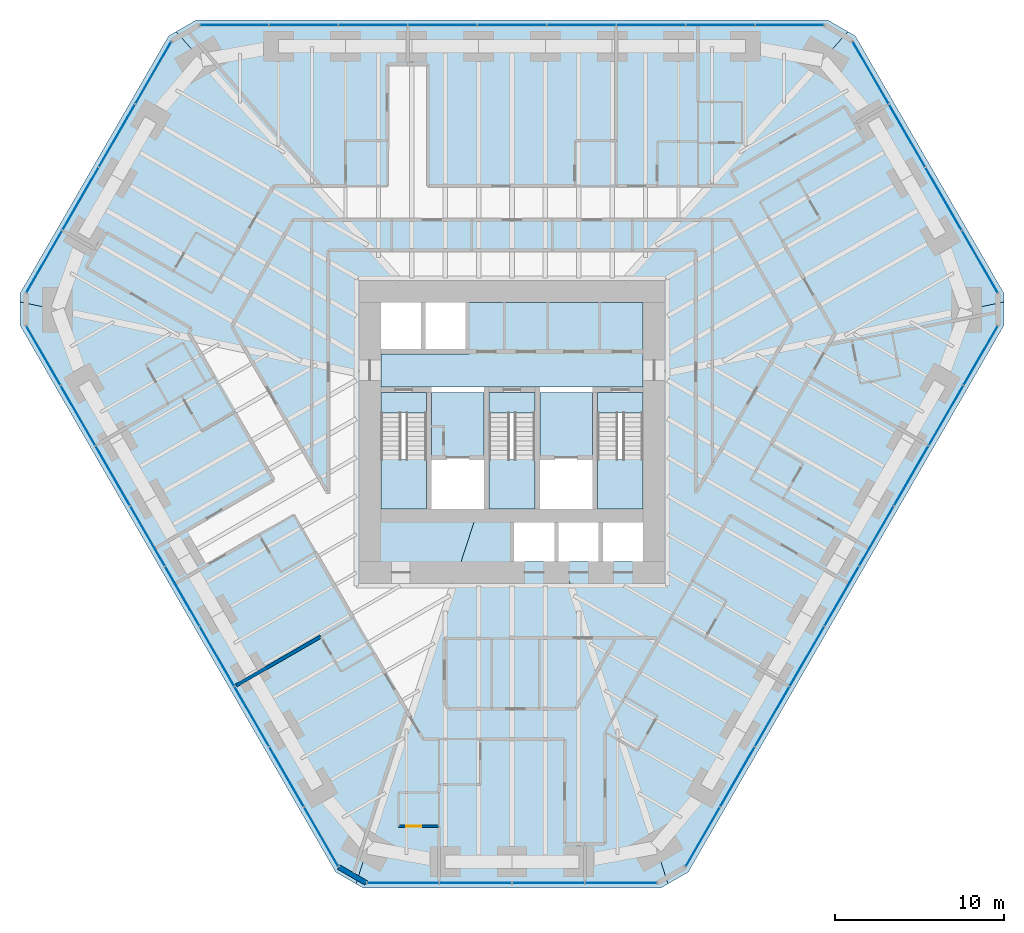
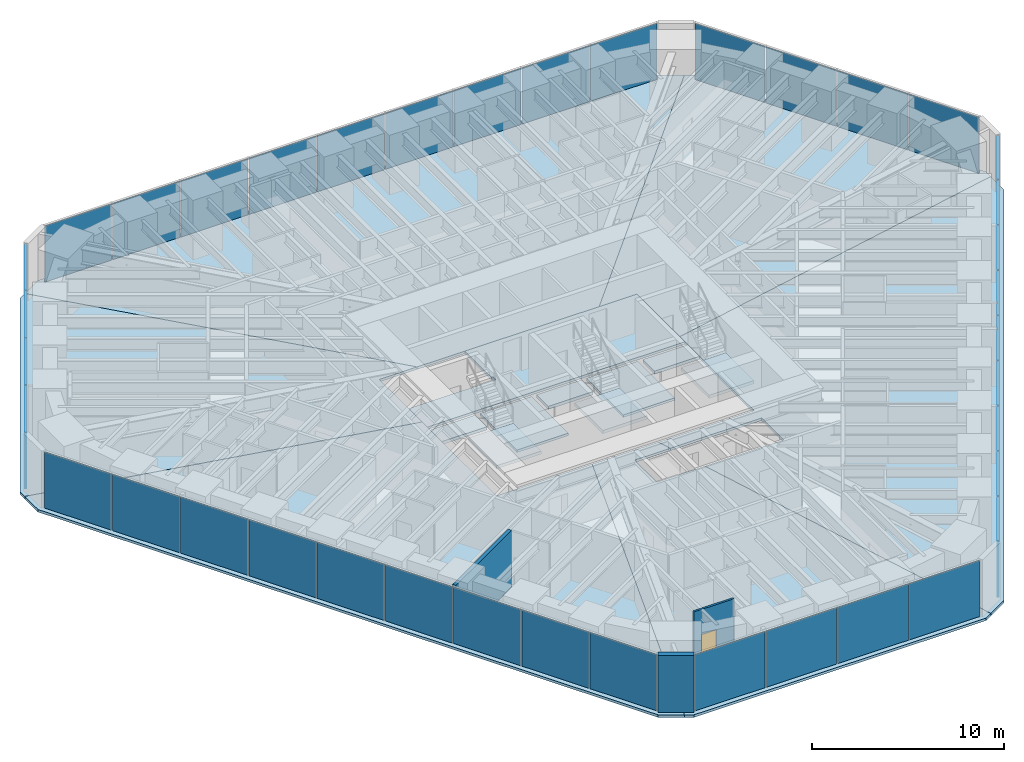
# One storey, part 10 of 17: 39 plates, 15 slabs, 3 walls, 1 door, 1 opening, 9 elements without a shape of their own.
"""IFC4 building model written with IfcOpenShell, lengths in metres."""

import ifcopenshell
import ifcopenshell.guid

model = None  # the IFC model being written
_history = None  # IfcOwnerHistory: only IFC2X3 demands one
_inside = {}  # id of a spatial element -> (the spatial element, [elements in it])
_under = {}  # id of a project, library or spatial element -> (it, [spatial elements below it])
_declared = {}  # id of a project -> (the project, [libraries it declares])
_typed = {}  # id of a type object -> (the type object, [elements of that type])
_made_of = {}  # id of a material, layer set ... -> (it, [elements and type objects made of it])


def new_model(schema):
    """Start an empty IFC model of exactly this schema.

    Asked for "IFC4X3", IfcOpenShell would pick the latest addendum, in which some entities
    have other attributes; the version numbers below select the first issue.
    IFC2X3 requires an IfcOwnerHistory on every rooted entity: one is made here for all.
    """
    global model, _history
    if schema == "IFC4X3":
        model = ifcopenshell.file(schema_version=(4, 3, 0, 0))
    else:
        model = ifcopenshell.file(schema=schema)
    _inside.clear()
    _under.clear()
    _declared.clear()
    _typed.clear()
    _made_of.clear()
    _history = None
    if model.schema == "IFC2X3":
        org = make("IfcOrganization", Name="unknown")
        user = make(
            "IfcPersonAndOrganization",
            ThePerson=make("IfcPerson", FamilyName="unknown"),
            TheOrganization=org,
        )
        app = make(
            "IfcApplication",
            ApplicationDeveloper=org,
            Version="unknown",
            ApplicationFullName="unknown",
            ApplicationIdentifier="unknown",
        )
        _history = make(
            "IfcOwnerHistory",
            OwningUser=user,
            OwningApplication=app,
            ChangeAction="ADDED",
            CreationDate=0,
        )
    return model


def make(cls, **values):
    """One entity of the class cls with the attributes given. An attribute that is None is left unset."""
    return model.create_entity(
        cls, **{name: value for name, value in values.items() if value is not None}
    )


def rooted(cls, **values):
    """An entity with a GlobalId (a new one), such as an element, a storey or a relation."""
    return make(cls, GlobalId=ifcopenshell.guid.new(), OwnerHistory=_history, **values)


def si_unit(unit_type, name, prefix=None):
    """IfcSIUnit, for example si_unit("LENGTHUNIT", "METRE", prefix="MILLI")."""
    return make("IfcSIUnit", UnitType=unit_type, Prefix=prefix, Name=name)


def assignment(units):
    """IfcUnitAssignment: the units of a project."""
    return None if units is None else make("IfcUnitAssignment", Units=units)


def point(xyz):
    """IfcCartesianPoint."""
    return None if xyz is None else make("IfcCartesianPoint", Coordinates=xyz)


def direction(xyz):
    """IfcDirection."""
    return None if xyz is None else make("IfcDirection", DirectionRatios=xyz)


def frame(location, z_axis=None, x_axis=None):
    """IfcAxis2Placement3D, a coordinate frame: its origin and axes. An axis left out is left unset."""
    return make(
        "IfcAxis2Placement3D",
        Location=point(location),
        Axis=direction(z_axis),
        RefDirection=direction(x_axis),
    )


def frame_2d(location, x_axis=None):
    """IfcAxis2Placement2D, a coordinate frame in the plane: its origin and x axis."""
    return make(
        "IfcAxis2Placement2D", Location=point(location), RefDirection=direction(x_axis)
    )


def origin():
    """The frame at (0, 0, 0) with its axes left unset."""
    return frame((0.0, 0.0, 0.0))


def origin_2d():
    """The frame at (0, 0) in the plane with its x axis left unset."""
    return frame_2d((0.0, 0.0))


def place(relative_to, where):
    """IfcLocalPlacement: puts the frame where relative to a parent placement (None: the world)."""
    return make(
        "IfcLocalPlacement", PlacementRelTo=relative_to, RelativePlacement=where
    )


def context(
    kind, dimensions, precision=None, world=None, true_north=None, identifier=None
):
    """IfcGeometricRepresentationContext, for example the 3D "Model" context."""
    return make(
        "IfcGeometricRepresentationContext",
        ContextIdentifier=identifier,
        ContextType=kind,
        CoordinateSpaceDimension=dimensions,
        Precision=precision,
        WorldCoordinateSystem=world,
        TrueNorth=true_north,
    )


def subcontext(parent, identifier, kind, view, scale=None):
    """IfcGeometricRepresentationSubContext, for example "Body" below "Model"."""
    return make(
        "IfcGeometricRepresentationSubContext",
        ContextIdentifier=identifier,
        ContextType=kind,
        ParentContext=parent,
        TargetScale=scale,
        TargetView=view,
    )


def project(units=None, contexts=None):
    """IfcProject with its units and contexts."""
    return rooted(
        "IfcProject",
        Name="project",
        RepresentationContexts=contexts,
        UnitsInContext=assignment(units),
    )


def spatial(cls, under=None, at=None, **own):
    """A site, building, storey or space (cls), placed at a placement, below another one or the project."""
    s = rooted(cls, ObjectPlacement=at, **own)
    if under is not None:
        _under.setdefault(under.id(), (under, []))[1].append(s)
    return s


def polyline(points):
    """IfcPolyline through the points."""
    return make("IfcPolyline", Points=[point(p) for p in points])


def profile(cls, at=None, kind="AREA", **sizes):
    """A parametric profile (cls). Its sizes go by their IFC names, for example OverallWidth=200.0."""
    return make(cls, ProfileType=kind, Position=at, **sizes)


def rectangle(**sizes):
    """IfcRectangleProfileDef."""
    return profile("IfcRectangleProfileDef", **sizes)


def outline(outer, holes=None, kind="AREA"):
    """IfcArbitraryClosedProfileDef: a profile drawn as a closed curve; with holes, ...WithVoids."""
    if holes is None:
        return make("IfcArbitraryClosedProfileDef", ProfileType=kind, OuterCurve=outer)
    return make(
        "IfcArbitraryProfileDefWithVoids",
        ProfileType=kind,
        OuterCurve=outer,
        InnerCurves=holes,
    )


def extrude(swept, where, along, depth):
    """IfcExtrudedAreaSolid: the profile swept, set in the frame where, extruded along a direction by depth."""
    return make(
        "IfcExtrudedAreaSolid",
        SweptArea=swept,
        Position=where,
        ExtrudedDirection=direction(along),
        Depth=depth,
    )


def shape(context_of_items, identifier, shape_type, items):
    """IfcShapeRepresentation: the items that make up one representation, for example the "Body"."""
    return make(
        "IfcShapeRepresentation",
        ContextOfItems=context_of_items,
        RepresentationIdentifier=identifier,
        RepresentationType=shape_type,
        Items=items,
    )


def material(Name=None, Category=None):
    """IfcMaterial."""
    return make("IfcMaterial", Name=Name, Category=Category)


def layer(
    of_material, thickness, ventilated=None, Name=None, Category=None, Priority=None
):
    """IfcMaterialLayer: one layer of a wall or slab, of a material (None: an air gap)."""
    return make(
        "IfcMaterialLayer",
        Material=of_material,
        LayerThickness=thickness,
        IsVentilated=ventilated,
        Name=Name,
        Category=Category,
        Priority=Priority,
    )


def layer_set(layers, Name=None):
    """IfcMaterialLayerSet."""
    return make("IfcMaterialLayerSet", MaterialLayers=layers, LayerSetName=Name)


def made_of(thing, what):
    """Note that an element or type object is made of a material, layer set ...; save() writes the relation."""
    if what is not None:
        _made_of.setdefault(what.id(), (what, []))[1].append(thing)
    return thing


def type_object(cls, material=None, **own):
    """A type object (cls), such as IfcWallType, which elements share."""
    return made_of(rooted(cls, **own), material)


def element(
    cls,
    number,
    at=None,
    inside=None,
    cuts=None,
    type_object=None,
    material=None,
    context=None,
    identifier="Body",
    shape_type=None,
    held_by="IfcProductDefinitionShape",
    body=None,
    shapes=None,
    **own,
):
    """One element of the class cls, such as IfcWall. Its Tag is "e" and its number.

    at: its placement. inside: the storey or other place that contains it. cuts: it is an
    opening in that element (IfcRelVoidsElement). A single representation is given by context,
    identifier, shape_type and body (its items); several are given by shapes. held_by: the class
    of the entity that holds the representations. save() writes the other relations.
    """
    e = rooted(cls, Tag="e%d" % number, ObjectPlacement=at, **own)
    if body is not None:
        shapes = [shape(context, identifier, shape_type, body)]
    if shapes is not None:
        e.Representation = make(held_by, Representations=shapes)
    if inside is not None:
        _inside.setdefault(inside.id(), (inside, []))[1].append(e)
    if cuts is not None:
        rooted(
            "IfcRelVoidsElement", RelatingBuildingElement=cuts, RelatedOpeningElement=e
        )
    if type_object is not None:
        _typed.setdefault(type_object.id(), (type_object, []))[1].append(e)
    return made_of(e, material)


def fill(opening, filler):
    """IfcRelFillsElement: the door or window that sits in an opening."""
    return rooted(
        "IfcRelFillsElement",
        RelatingOpeningElement=opening,
        RelatedBuildingElement=filler,
    )


def aggregate(whole, parts):
    """IfcRelAggregates: a whole, such as a stair, and the parts it consists of."""
    return rooted("IfcRelAggregates", RelatingObject=whole, RelatedObjects=parts)


def save(model, path):
    """Write the relations noted so far, then the file.

    IfcRelAggregates (storeys below a building ...), IfcRelContainedInSpatialStructure (elements
    in a storey), IfcRelDefinesByType, IfcRelAssociatesMaterial and IfcRelDeclares: one each for
    every whole, place, type object, material and project.
    """
    for whole, parts in _under.values():
        aggregate(whole, parts)
    for where, things in _inside.values():
        rooted(
            "IfcRelContainedInSpatialStructure",
            RelatedElements=things,
            RelatingStructure=where,
        )
    for kind, things in _typed.values():
        rooted("IfcRelDefinesByType", RelatedObjects=things, RelatingType=kind)
    for what, things in _made_of.values():
        rooted("IfcRelAssociatesMaterial", RelatedObjects=things, RelatingMaterial=what)
    for by, libraries in _declared.values():
        rooted("IfcRelDeclares", RelatingContext=by, RelatedDefinitions=libraries)
    model.write(path)


model = new_model("IFC4")

# Units and contexts
model_context = context("Model", 3, precision=1e-05, world=origin(), true_north=direction((0.0, 1.0)))
body_context = subcontext(model_context, "Body", "Model", "MODEL_VIEW")
ifc_project = project(units=[si_unit("LENGTHUNIT", "METRE"), si_unit("AREAUNIT", "SQUARE_METRE"), si_unit("VOLUMEUNIT", "CUBIC_METRE"), si_unit("PLANEANGLEUNIT", "RADIAN"), si_unit("MASSUNIT", "GRAM", prefix="KILO")], contexts=[model_context])

# Site, building, storey
site_placement = place(None, origin())
site = spatial("IfcSite", under=ifc_project, at=site_placement, CompositionType="ELEMENT")
building_placement = place(site_placement, origin())
building = spatial("IfcBuilding", under=site, at=building_placement, Name="Sandreach Pilgrim Tower", CompositionType="ELEMENT")
storey_placement = place(building_placement, frame((0.0, 0.0, 112.0)))
storey = spatial("IfcBuildingStorey", under=building, at=storey_placement, Name="L27", CompositionType="ELEMENT", Elevation=112.0)

# Curtain wall, plates
ifc_material_1 = material(Name="Aluminium framed curtain wall", Category="aluminium")
curtain_wall_type = type_object("IfcCurtainWallType", Name="Hotel tower curtain wall", PredefinedType="NOTDEFINED", material=ifc_material_1)
curtain_wall_1_placement = place(storey_placement, origin())
curtain_wall_1 = element("IfcCurtainWall", 1, at=curtain_wall_1_placement, inside=storey, type_object=curtain_wall_type, Name="CW-2 L27 N", PredefinedType="NOTDEFINED")
ifc_material_2 = material(Name="Insulating glass unit 8 heat-strengthened + 16 argon + 8 heat-strengthened", Category="glass")
ifc_layer_1 = layer(ifc_material_2, 0.031982421875)
ifc_layer_set_1 = layer_set([ifc_layer_1], Name="CW-2 panel")
plate_type = type_object("IfcPlateType", Name="CW-2 panel", PredefinedType="CURTAIN_PANEL", material=ifc_layer_set_1)
plate_1_placement = place(storey_placement, frame((-16.41162109375, 22.493896484375, 0.0), z_axis=(0.0, 0.0, 1.0), x_axis=(1.0, 0.0, 0.0)))
plate_1 = element("IfcPlate", 2, at=plate_1_placement, type_object=plate_type, Name="CW-2 panel 1", PredefinedType="CURTAIN_PANEL", context=body_context, shape_type="SweptSolid", body=[
    extrude(rectangle(XDim=4.009521484375, YDim=0.031982421875, at=origin_2d()), origin(), (0.0, 0.0, 1.0), 3.570068359375),
])
plate_2_placement = place(storey_placement, frame((-12.32080078125, 22.493896484375, 0.0), z_axis=(0.0, 0.0, 1.0), x_axis=(1.0, 0.0, 0.0)))
plate_2 = element("IfcPlate", 3, at=plate_2_placement, type_object=plate_type, Name="CW-2 panel 2", PredefinedType="CURTAIN_PANEL", context=body_context, shape_type="SweptSolid", body=[
    extrude(rectangle(XDim=4.0419921875, YDim=0.031982421875, at=origin_2d()), origin(), (0.0, 0.0, 1.0), 3.570068359375),
])
plate_3_placement = place(storey_placement, frame((-8.2138671875, 22.493896484375, 0.0), z_axis=(0.0, 0.0, 1.0), x_axis=(1.0, 0.0, 0.0)))
plate_3 = element("IfcPlate", 4, at=plate_3_placement, type_object=plate_type, Name="CW-2 panel 3", PredefinedType="CURTAIN_PANEL", context=body_context, shape_type="SweptSolid", body=[
    extrude(rectangle(XDim=4.0419921875, YDim=0.031982421875, at=origin_2d()), origin(), (0.0, 0.0, 1.0), 3.570068359375),
])
plate_4_placement = place(storey_placement, frame((-4.10693359375, 22.493896484375, 0.0), z_axis=(0.0, 0.0, 1.0), x_axis=(1.0, 0.0, 0.0)))
plate_4 = element("IfcPlate", 5, at=plate_4_placement, type_object=plate_type, Name="CW-2 panel 4", PredefinedType="CURTAIN_PANEL", context=body_context, shape_type="SweptSolid", body=[
    extrude(rectangle(XDim=4.0419921875, YDim=0.031982421875, at=origin_2d()), origin(), (0.0, 0.0, 1.0), 3.570068359375),
])
plate_5_placement = place(storey_placement, frame((0.0, 22.493896484375, 0.0), z_axis=(0.0, 0.0, 1.0), x_axis=(1.0, 0.0, 0.0)))
plate_5 = element("IfcPlate", 6, at=plate_5_placement, type_object=plate_type, Name="CW-2 panel 5", PredefinedType="CURTAIN_PANEL", context=body_context, shape_type="SweptSolid", body=[
    extrude(rectangle(XDim=4.0419921875, YDim=0.031982421875, at=origin_2d()), origin(), (0.0, 0.0, 1.0), 3.570068359375),
])
plate_6_placement = place(storey_placement, frame((4.10693359375, 22.493896484375, 0.0), z_axis=(0.0, 0.0, 1.0), x_axis=(1.0, 0.0, 0.0)))
plate_6 = element("IfcPlate", 7, at=plate_6_placement, type_object=plate_type, Name="CW-2 panel 6", PredefinedType="CURTAIN_PANEL", context=body_context, shape_type="SweptSolid", body=[
    extrude(rectangle(XDim=4.0419921875, YDim=0.031982421875, at=origin_2d()), origin(), (0.0, 0.0, 1.0), 3.570068359375),
])
plate_7_placement = place(storey_placement, frame((8.2138671875, 22.493896484375, 0.0), z_axis=(0.0, 0.0, 1.0), x_axis=(1.0, 0.0, 0.0)))
plate_7 = element("IfcPlate", 8, at=plate_7_placement, type_object=plate_type, Name="CW-2 panel 7", PredefinedType="CURTAIN_PANEL", context=body_context, shape_type="SweptSolid", body=[
    extrude(rectangle(XDim=4.0419921875, YDim=0.031982421875, at=origin_2d()), origin(), (0.0, 0.0, 1.0), 3.570068359375),
])
plate_8_placement = place(storey_placement, frame((12.32080078125, 22.493896484375, 0.0), z_axis=(0.0, 0.0, 1.0), x_axis=(1.0, 0.0, 0.0)))
plate_8 = element("IfcPlate", 9, at=plate_8_placement, type_object=plate_type, Name="CW-2 panel 8", PredefinedType="CURTAIN_PANEL", context=body_context, shape_type="SweptSolid", body=[
    extrude(rectangle(XDim=4.0419921875, YDim=0.031982421875, at=origin_2d()), origin(), (0.0, 0.0, 1.0), 3.570068359375),
])
plate_9_placement = place(storey_placement, frame((16.41162109375, 22.493896484375, 0.0), z_axis=(0.0, 0.0, 1.0), x_axis=(1.0, 0.0, 0.0)))
plate_9 = element("IfcPlate", 10, at=plate_9_placement, type_object=plate_type, Name="CW-2 panel 9", PredefinedType="CURTAIN_PANEL", context=body_context, shape_type="SweptSolid", body=[
    extrude(rectangle(XDim=4.009521484375, YDim=0.031982421875, at=origin_2d()), origin(), (0.0, 0.0, 1.0), 3.570068359375),
])
aggregate(curtain_wall_1, [plate_1, plate_2, plate_3, plate_4, plate_5, plate_6, plate_7, plate_8, plate_9])

curtain_wall_2_placement = place(storey_placement, origin())
curtain_wall_2 = element("IfcCurtainWall", 11, at=curtain_wall_2_placement, inside=storey, type_object=curtain_wall_type, Name="CW-2 L27 NE", PredefinedType="NOTDEFINED")
plate_10_placement = place(storey_placement, frame((21.194091796875, 19.67529296875, 0.0), z_axis=(0.0, 0.0, 1.0), x_axis=(0.5, -0.866025403784, 0.0)))
plate_10 = element("IfcPlate", 12, at=plate_10_placement, type_object=plate_type, Name="CW-2 panel 1", PredefinedType="CURTAIN_PANEL", context=body_context, shape_type="SweptSolid", body=[
    extrude(rectangle(XDim=4.208251953125, YDim=0.031982421875, at=origin_2d()), origin(), (0.0, 0.0, 1.0), 3.570068359375),
])
plate_11_placement = place(storey_placement, frame((23.3388671875, 15.96044921875, 0.0), z_axis=(0.0, 0.0, 1.0), x_axis=(0.5, -0.866025403784, 0.0)))
plate_11 = element("IfcPlate", 13, at=plate_11_placement, type_object=plate_type, Name="CW-2 panel 2", PredefinedType="CURTAIN_PANEL", context=body_context, shape_type="SweptSolid", body=[
    extrude(rectangle(XDim=4.24072265625, YDim=0.031982421875, at=origin_2d()), origin(), (0.0, 0.0, 1.0), 3.570068359375),
])
plate_12_placement = place(storey_placement, frame((25.49169921875, 12.231689453125, 0.0), z_axis=(0.0, 0.0, 1.0), x_axis=(0.5, -0.866025403784, 0.0)))
plate_12 = element("IfcPlate", 14, at=plate_12_placement, type_object=plate_type, Name="CW-2 panel 3", PredefinedType="CURTAIN_PANEL", context=body_context, shape_type="SweptSolid", body=[
    extrude(rectangle(XDim=4.24072265625, YDim=0.031982421875, at=origin_2d()), origin(), (0.0, 0.0, 1.0), 3.570068359375),
])
plate_13_placement = place(storey_placement, frame((27.63623046875, 8.516845703125, 0.0), z_axis=(0.0, 0.0, 1.0), x_axis=(0.5, -0.866025403784, 0.0)))
plate_13 = element("IfcPlate", 15, at=plate_13_placement, type_object=plate_type, Name="CW-2 panel 4", PredefinedType="CURTAIN_PANEL", context=body_context, shape_type="SweptSolid", body=[
    extrude(rectangle(XDim=4.208251953125, YDim=0.031982421875, at=origin_2d()), origin(), (0.0, 0.0, 1.0), 3.570068359375),
])
aggregate(curtain_wall_2, [plate_10, plate_11, plate_12, plate_13])

curtain_wall_3_placement = place(storey_placement, origin())
curtain_wall_3 = element("IfcCurtainWall", 16, at=curtain_wall_3_placement, inside=storey, type_object=curtain_wall_type, Name="CW-2 L27 SE", PredefinedType="NOTDEFINED")
plate_14_placement = place(storey_placement, frame((27.68603515625, 2.966064453125, 0.0), z_axis=(0.0, 0.0, 1.0), x_axis=(-0.5, -0.866025403784, 0.0)))
plate_14 = element("IfcPlate", 17, at=plate_14_placement, type_object=plate_type, Name="CW-2 panel 1", PredefinedType="CURTAIN_PANEL", context=body_context, shape_type="SweptSolid", body=[
    extrude(rectangle(XDim=4.009521484375, YDim=0.031982421875, at=origin_2d()), origin(), (0.0, 0.0, 1.0), 3.570068359375),
])
plate_15_placement = place(storey_placement, frame((25.640625, -0.57666015625, 0.0), z_axis=(0.0, 0.0, 1.0), x_axis=(-0.5, -0.866025403784, 0.0)))
plate_15 = element("IfcPlate", 18, at=plate_15_placement, type_object=plate_type, Name="CW-2 panel 2", PredefinedType="CURTAIN_PANEL", context=body_context, shape_type="SweptSolid", body=[
    extrude(rectangle(XDim=4.0419921875, YDim=0.031982421875, at=origin_2d()), origin(), (0.0, 0.0, 1.0), 3.570068359375),
])
plate_16_placement = place(storey_placement, frame((23.587158203125, -4.13330078125, 0.0), z_axis=(0.0, 0.0, 1.0), x_axis=(-0.5, -0.866025403784, 0.0)))
plate_16 = element("IfcPlate", 19, at=plate_16_placement, type_object=plate_type, Name="CW-2 panel 3", PredefinedType="CURTAIN_PANEL", context=body_context, shape_type="SweptSolid", body=[
    extrude(rectangle(XDim=4.0419921875, YDim=0.031982421875, at=origin_2d()), origin(), (0.0, 0.0, 1.0), 3.570068359375),
])
plate_17_placement = place(storey_placement, frame((21.53369140625, -7.690185546875, 0.0), z_axis=(0.0, 0.0, 1.0), x_axis=(-0.5, -0.866025403784, 0.0)))
plate_17 = element("IfcPlate", 20, at=plate_17_placement, type_object=plate_type, Name="CW-2 panel 4", PredefinedType="CURTAIN_PANEL", context=body_context, shape_type="SweptSolid", body=[
    extrude(rectangle(XDim=4.0419921875, YDim=0.031982421875, at=origin_2d()), origin(), (0.0, 0.0, 1.0), 3.570068359375),
])
plate_18_placement = place(storey_placement, frame((19.480224609375, -11.246826171875, 0.0), z_axis=(0.0, 0.0, 1.0), x_axis=(-0.5, -0.866025403784, 0.0)))
plate_18 = element("IfcPlate", 21, at=plate_18_placement, type_object=plate_type, Name="CW-2 panel 5", PredefinedType="CURTAIN_PANEL", context=body_context, shape_type="SweptSolid", body=[
    extrude(rectangle(XDim=4.0419921875, YDim=0.031982421875, at=origin_2d()), origin(), (0.0, 0.0, 1.0), 3.570068359375),
])
plate_19_placement = place(storey_placement, frame((17.4267578125, -14.8037109375, 0.0), z_axis=(0.0, 0.0, 1.0), x_axis=(-0.5, -0.866025403784, 0.0)))
plate_19 = element("IfcPlate", 22, at=plate_19_placement, type_object=plate_type, Name="CW-2 panel 6", PredefinedType="CURTAIN_PANEL", context=body_context, shape_type="SweptSolid", body=[
    extrude(rectangle(XDim=4.0419921875, YDim=0.031982421875, at=origin_2d()), origin(), (0.0, 0.0, 1.0), 3.570068359375),
])
plate_20_placement = place(storey_placement, frame((15.373291015625, -18.3603515625, 0.0), z_axis=(0.0, 0.0, 1.0), x_axis=(-0.5, -0.866025403784, 0.0)))
plate_20 = element("IfcPlate", 23, at=plate_20_placement, type_object=plate_type, Name="CW-2 panel 7", PredefinedType="CURTAIN_PANEL", context=body_context, shape_type="SweptSolid", body=[
    extrude(rectangle(XDim=4.0419921875, YDim=0.031982421875, at=origin_2d()), origin(), (0.0, 0.0, 1.0), 3.570068359375),
])
plate_21_placement = place(storey_placement, frame((13.31982421875, -21.917236328125, 0.0), z_axis=(0.0, 0.0, 1.0), x_axis=(-0.5, -0.866025403784, 0.0)))
plate_21 = element("IfcPlate", 24, at=plate_21_placement, type_object=plate_type, Name="CW-2 panel 8", PredefinedType="CURTAIN_PANEL", context=body_context, shape_type="SweptSolid", body=[
    extrude(rectangle(XDim=4.0419921875, YDim=0.031982421875, at=origin_2d()), origin(), (0.0, 0.0, 1.0), 3.570068359375),
])
plate_22_placement = place(storey_placement, frame((11.2744140625, -25.459716796875, 0.0), z_axis=(0.0, 0.0, 1.0), x_axis=(-0.5, -0.866025403784, 0.0)))
plate_22 = element("IfcPlate", 25, at=plate_22_placement, type_object=plate_type, Name="CW-2 panel 9", PredefinedType="CURTAIN_PANEL", context=body_context, shape_type="SweptSolid", body=[
    extrude(rectangle(XDim=4.009521484375, YDim=0.031982421875, at=origin_2d()), origin(), (0.0, 0.0, 1.0), 3.570068359375),
])
aggregate(curtain_wall_3, [plate_14, plate_15, plate_16, plate_17, plate_18, plate_19, plate_20, plate_21, plate_22])

curtain_wall_4_placement = place(storey_placement, origin())
curtain_wall_4 = element("IfcCurtainWall", 26, at=curtain_wall_4_placement, inside=storey, type_object=curtain_wall_type, Name="CW-2 L27 S", PredefinedType="NOTDEFINED")
plate_23_placement = place(storey_placement, frame((6.4423828125, -28.192138671875, 0.0), z_axis=(0.0, 0.0, 1.0), x_axis=(-1.0, 0.0, 0.0)))
plate_23 = element("IfcPlate", 27, at=plate_23_placement, type_object=plate_type, Name="CW-2 panel 1", PredefinedType="CURTAIN_PANEL", context=body_context, shape_type="SweptSolid", body=[
    extrude(rectangle(XDim=4.208251953125, YDim=0.031982421875, at=origin_2d()), origin(), (0.0, 0.0, 1.0), 3.570068359375),
])
plate_24_placement = place(storey_placement, frame((2.15283203125, -28.192138671875, 0.0), z_axis=(0.0, 0.0, 1.0), x_axis=(-1.0, 0.0, 0.0)))
plate_24 = element("IfcPlate", 28, at=plate_24_placement, type_object=plate_type, Name="CW-2 panel 2", PredefinedType="CURTAIN_PANEL", context=body_context, shape_type="SweptSolid", body=[
    extrude(rectangle(XDim=4.24072265625, YDim=0.031982421875, at=origin_2d()), origin(), (0.0, 0.0, 1.0), 3.570068359375),
])
plate_25_placement = place(storey_placement, frame((-2.15283203125, -28.192138671875, 0.0), z_axis=(0.0, 0.0, 1.0), x_axis=(-1.0, 0.0, 0.0)))
plate_25 = element("IfcPlate", 29, at=plate_25_placement, type_object=plate_type, Name="CW-2 panel 3", PredefinedType="CURTAIN_PANEL", context=body_context, shape_type="SweptSolid", body=[
    extrude(rectangle(XDim=4.24072265625, YDim=0.031982421875, at=origin_2d()), origin(), (0.0, 0.0, 1.0), 3.570068359375),
])
plate_26_placement = place(storey_placement, frame((-6.4423828125, -28.192138671875, 0.0), z_axis=(0.0, 0.0, 1.0), x_axis=(-1.0, 0.0, 0.0)))
plate_26 = element("IfcPlate", 30, at=plate_26_placement, type_object=plate_type, Name="CW-2 panel 4", PredefinedType="CURTAIN_PANEL", context=body_context, shape_type="SweptSolid", body=[
    extrude(rectangle(XDim=4.208251953125, YDim=0.031982421875, at=origin_2d()), origin(), (0.0, 0.0, 1.0), 3.570068359375),
])
aggregate(curtain_wall_4, [plate_23, plate_24, plate_25, plate_26])

curtain_wall_5_placement = place(storey_placement, origin())
curtain_wall_5 = element("IfcCurtainWall", 31, at=curtain_wall_5_placement, inside=storey, type_object=curtain_wall_type, Name="CW-2 L27 SW", PredefinedType="NOTDEFINED")
plate_27_placement = place(storey_placement, frame((-11.2744140625, -25.459716796875, 0.0), z_axis=(0.0, 0.0, 1.0), x_axis=(-0.5, 0.866025403784, 0.0)))
plate_27 = element("IfcPlate", 32, at=plate_27_placement, type_object=plate_type, Name="CW-2 panel 1", PredefinedType="CURTAIN_PANEL", context=body_context, shape_type="SweptSolid", body=[
    extrude(rectangle(XDim=4.009521484375, YDim=0.031982421875, at=origin_2d()), origin(), (0.0, 0.0, 1.0), 3.570068359375),
])
plate_28_placement = place(storey_placement, frame((-13.31982421875, -21.917236328125, 0.0), z_axis=(0.0, 0.0, 1.0), x_axis=(-0.5, 0.866025403784, 0.0)))
plate_28 = element("IfcPlate", 33, at=plate_28_placement, type_object=plate_type, Name="CW-2 panel 2", PredefinedType="CURTAIN_PANEL", context=body_context, shape_type="SweptSolid", body=[
    extrude(rectangle(XDim=4.0419921875, YDim=0.031982421875, at=origin_2d()), origin(), (0.0, 0.0, 1.0), 3.570068359375),
])
plate_29_placement = place(storey_placement, frame((-15.373291015625, -18.3603515625, 0.0), z_axis=(0.0, 0.0, 1.0), x_axis=(-0.5, 0.866025403784, 0.0)))
plate_29 = element("IfcPlate", 34, at=plate_29_placement, type_object=plate_type, Name="CW-2 panel 3", PredefinedType="CURTAIN_PANEL", context=body_context, shape_type="SweptSolid", body=[
    extrude(rectangle(XDim=4.0419921875, YDim=0.031982421875, at=origin_2d()), origin(), (0.0, 0.0, 1.0), 3.570068359375),
])
plate_30_placement = place(storey_placement, frame((-17.4267578125, -14.8037109375, 0.0), z_axis=(0.0, 0.0, 1.0), x_axis=(-0.5, 0.866025403784, 0.0)))
plate_30 = element("IfcPlate", 35, at=plate_30_placement, type_object=plate_type, Name="CW-2 panel 4", PredefinedType="CURTAIN_PANEL", context=body_context, shape_type="SweptSolid", body=[
    extrude(rectangle(XDim=4.0419921875, YDim=0.031982421875, at=origin_2d()), origin(), (0.0, 0.0, 1.0), 3.570068359375),
])
plate_31_placement = place(storey_placement, frame((-19.480224609375, -11.246826171875, 0.0), z_axis=(0.0, 0.0, 1.0), x_axis=(-0.5, 0.866025403784, 0.0)))
plate_31 = element("IfcPlate", 36, at=plate_31_placement, type_object=plate_type, Name="CW-2 panel 5", PredefinedType="CURTAIN_PANEL", context=body_context, shape_type="SweptSolid", body=[
    extrude(rectangle(XDim=4.0419921875, YDim=0.031982421875, at=origin_2d()), origin(), (0.0, 0.0, 1.0), 3.570068359375),
])
plate_32_placement = place(storey_placement, frame((-21.53369140625, -7.690185546875, 0.0), z_axis=(0.0, 0.0, 1.0), x_axis=(-0.5, 0.866025403784, 0.0)))
plate_32 = element("IfcPlate", 37, at=plate_32_placement, type_object=plate_type, Name="CW-2 panel 6", PredefinedType="CURTAIN_PANEL", context=body_context, shape_type="SweptSolid", body=[
    extrude(rectangle(XDim=4.0419921875, YDim=0.031982421875, at=origin_2d()), origin(), (0.0, 0.0, 1.0), 3.570068359375),
])
plate_33_placement = place(storey_placement, frame((-23.587158203125, -4.13330078125, 0.0), z_axis=(0.0, 0.0, 1.0), x_axis=(-0.5, 0.866025403784, 0.0)))
plate_33 = element("IfcPlate", 38, at=plate_33_placement, type_object=plate_type, Name="CW-2 panel 7", PredefinedType="CURTAIN_PANEL", context=body_context, shape_type="SweptSolid", body=[
    extrude(rectangle(XDim=4.0419921875, YDim=0.031982421875, at=origin_2d()), origin(), (0.0, 0.0, 1.0), 3.570068359375),
])
plate_34_placement = place(storey_placement, frame((-25.640625, -0.57666015625, 0.0), z_axis=(0.0, 0.0, 1.0), x_axis=(-0.5, 0.866025403784, 0.0)))
plate_34 = element("IfcPlate", 39, at=plate_34_placement, type_object=plate_type, Name="CW-2 panel 8", PredefinedType="CURTAIN_PANEL", context=body_context, shape_type="SweptSolid", body=[
    extrude(rectangle(XDim=4.0419921875, YDim=0.031982421875, at=origin_2d()), origin(), (0.0, 0.0, 1.0), 3.570068359375),
])
plate_35_placement = place(storey_placement, frame((-27.68603515625, 2.966064453125, 0.0), z_axis=(0.0, 0.0, 1.0), x_axis=(-0.5, 0.866025403784, 0.0)))
plate_35 = element("IfcPlate", 40, at=plate_35_placement, type_object=plate_type, Name="CW-2 panel 9", PredefinedType="CURTAIN_PANEL", context=body_context, shape_type="SweptSolid", body=[
    extrude(rectangle(XDim=4.009521484375, YDim=0.031982421875, at=origin_2d()), origin(), (0.0, 0.0, 1.0), 3.570068359375),
])
aggregate(curtain_wall_5, [plate_27, plate_28, plate_29, plate_30, plate_31, plate_32, plate_33, plate_34, plate_35])

curtain_wall_6_placement = place(storey_placement, origin())
curtain_wall_6 = element("IfcCurtainWall", 41, at=curtain_wall_6_placement, inside=storey, type_object=curtain_wall_type, Name="CW-2 L27 NW", PredefinedType="NOTDEFINED")
plate_36_placement = place(storey_placement, frame((-27.63623046875, 8.516845703125, 0.0), z_axis=(0.0, 0.0, 1.0), x_axis=(0.5, 0.866025403784, 0.0)))
plate_36 = element("IfcPlate", 42, at=plate_36_placement, type_object=plate_type, Name="CW-2 panel 1", PredefinedType="CURTAIN_PANEL", context=body_context, shape_type="SweptSolid", body=[
    extrude(rectangle(XDim=4.208251953125, YDim=0.031982421875, at=origin_2d()), origin(), (0.0, 0.0, 1.0), 3.570068359375),
])
plate_37_placement = place(storey_placement, frame((-25.49169921875, 12.231689453125, 0.0), z_axis=(0.0, 0.0, 1.0), x_axis=(0.5, 0.866025403784, 0.0)))
plate_37 = element("IfcPlate", 43, at=plate_37_placement, type_object=plate_type, Name="CW-2 panel 2", PredefinedType="CURTAIN_PANEL", context=body_context, shape_type="SweptSolid", body=[
    extrude(rectangle(XDim=4.24072265625, YDim=0.031982421875, at=origin_2d()), origin(), (0.0, 0.0, 1.0), 3.570068359375),
])
plate_38_placement = place(storey_placement, frame((-23.3388671875, 15.96044921875, 0.0), z_axis=(0.0, 0.0, 1.0), x_axis=(0.5, 0.866025403784, 0.0)))
plate_38 = element("IfcPlate", 44, at=plate_38_placement, type_object=plate_type, Name="CW-2 panel 3", PredefinedType="CURTAIN_PANEL", context=body_context, shape_type="SweptSolid", body=[
    extrude(rectangle(XDim=4.24072265625, YDim=0.031982421875, at=origin_2d()), origin(), (0.0, 0.0, 1.0), 3.570068359375),
])
plate_39_placement = place(storey_placement, frame((-21.194091796875, 19.67529296875, 0.0), z_axis=(0.0, 0.0, 1.0), x_axis=(0.5, 0.866025403784, 0.0)))
plate_39 = element("IfcPlate", 45, at=plate_39_placement, type_object=plate_type, Name="CW-2 panel 4", PredefinedType="CURTAIN_PANEL", context=body_context, shape_type="SweptSolid", body=[
    extrude(rectangle(XDim=4.208251953125, YDim=0.031982421875, at=origin_2d()), origin(), (0.0, 0.0, 1.0), 3.570068359375),
])
aggregate(curtain_wall_6, [plate_36, plate_37, plate_38, plate_39])

# Slabs
ifc_material_3 = material(Name="Concrete 8000 psi", Category="concrete")
ifc_layer_2 = layer(ifc_material_3, 0.159912109375)
ifc_layer_set_2 = layer_set([ifc_layer_2], Name="Composite floor slab 160")
slab_type_1 = type_object("IfcSlabType", Name="Composite floor slab 160", PredefinedType="FLOOR", material=ifc_layer_set_2)
slab_1_placement = place(storey_placement, frame((0.0, 0.0, -0.159912109375)))
element("IfcSlab", 46, at=slab_1_placement, inside=storey, type_object=slab_type_1, Name="Floor slab L27 N sector", PredefinedType="FLOOR", context=body_context, shape_type="SweptSolid", body=[
    extrude(outline(polyline([(-18.654541015625, 22.793701171875), (18.654541015625, 22.793701171875), (19.848388671875, 22.1044921875), (5.477294921875, 6.10009765625), (-5.477294921875, 6.10009765625), (-19.848388671875, 22.1044921875), (-18.654541015625, 22.793701171875)])), origin(), (0.0, 0.0, 1.0), 0.159912109375),
])
slab_2_placement = place(storey_placement, frame((0.0, 0.0, -0.159912109375)))
element("IfcSlab", 47, at=slab_2_placement, inside=storey, type_object=slab_type_1, Name="Floor slab L27 NE sector", PredefinedType="FLOOR", context=body_context, shape_type="SweptSolid", body=[
    extrude(outline(polyline([(20.28271484375, 21.853759765625), (29.0673828125, 6.638427734375), (29.0673828125, 6.13720703125), (7.75, 1.63623046875), (7.75, 6.10009765625), (5.477294921875, 6.10009765625), (19.848388671875, 22.1044921875), (20.28271484375, 21.853759765625)])), origin(), (0.0, 0.0, 1.0), 0.159912109375),
])
slab_3_placement = place(storey_placement, frame((0.0, 0.0, -0.159912109375)))
element("IfcSlab", 48, at=slab_3_placement, inside=storey, type_object=slab_type_1, Name="Floor slab L27 SE sector", PredefinedType="FLOOR", context=body_context, shape_type="SweptSolid", body=[
    extrude(outline(polyline([(29.0673828125, 4.75830078125), (10.41259765625, -27.55224609375), (9.21875, -28.241455078125), (3.003173828125, -9.199951171875), (7.75, -9.199951171875), (7.75, -6.89990234375), (2.252197265625, -6.89990234375), (1.9912109375, -6.10009765625), (7.75, -6.10009765625), (7.75, 1.63623046875), (29.0673828125, 6.13720703125), (29.0673828125, 4.75830078125)])), origin(), (0.0, 0.0, 1.0), 0.159912109375),
])
slab_4_placement = place(storey_placement, frame((0.0, 0.0, -0.159912109375)))
element("IfcSlab", 49, at=slab_4_placement, inside=storey, type_object=slab_type_1, Name="Floor slab L27 S sector", PredefinedType="FLOOR", context=body_context, shape_type="SweptSolid", body=[
    extrude(outline(polyline([(8.78466796875, -28.4921875), (-8.78466796875, -28.4921875), (-9.21875, -28.241455078125), (-1.9912109375, -6.10009765625), (1.9912109375, -6.10009765625), (2.252197265625, -6.89990234375), (0.125, -6.89990234375), (0.125, -9.199951171875), (3.003173828125, -9.199951171875), (9.21875, -28.241455078125), (8.78466796875, -28.4921875)])), origin(), (0.0, 0.0, 1.0), 0.159912109375),
])
slab_5_placement = place(storey_placement, frame((0.0, 0.0, -0.159912109375)))
element("IfcSlab", 50, at=slab_5_placement, inside=storey, type_object=slab_type_1, Name="Floor slab L27 SW sector", PredefinedType="FLOOR", context=body_context, shape_type="SweptSolid", body=[
    extrude(outline(polyline([(-10.41259765625, -27.55224609375), (-29.0673828125, 4.75830078125), (-29.0673828125, 6.13720703125), (-7.75, 1.63623046875), (-7.75, -6.10009765625), (-1.9912109375, -6.10009765625), (-9.21875, -28.241455078125), (-10.41259765625, -27.55224609375)])), origin(), (0.0, 0.0, 1.0), 0.159912109375),
])
slab_6_placement = place(storey_placement, frame((0.0, 0.0, -0.159912109375)))
element("IfcSlab", 51, at=slab_6_placement, inside=storey, type_object=slab_type_1, Name="Floor slab L27 NW sector", PredefinedType="FLOOR", context=body_context, shape_type="SweptSolid", body=[
    extrude(outline(polyline([(-29.0673828125, 6.638427734375), (-20.28271484375, 21.853759765625), (-19.848388671875, 22.1044921875), (-5.477294921875, 6.10009765625), (-7.75, 6.10009765625), (-7.75, 1.63623046875), (-29.0673828125, 6.13720703125), (-29.0673828125, 6.638427734375)])), origin(), (0.0, 0.0, 1.0), 0.159912109375),
])
slab_7_placement = place(storey_placement, frame((0.0, 0.0, -0.159912109375)))
element("IfcSlab", 52, at=slab_7_placement, inside=storey, type_object=slab_type_1, Name="Core floor slab and stores L27", PredefinedType="FLOOR", context=body_context, shape_type="SweptSolid", body=[
    extrude(outline(polyline([(-7.75, 3.050048828125), (-5.375, 3.050048828125), (-5.125, 3.050048828125), (-2.5, 3.050048828125), (-2.5, 3.35009765625), (-2.60009765625, 3.35009765625), (-2.60009765625, 6.10009765625), (7.75, 6.10009765625), (7.75, 1.10009765625), (5.050048828125, 1.10009765625), (4.75, 1.10009765625), (1.64990234375, 1.10009765625), (1.35009765625, 1.10009765625), (-1.35009765625, 1.10009765625), (-1.64990234375, 1.10009765625), (-4.75, 1.10009765625), (-5.050048828125, 1.10009765625), (-7.75, 1.10009765625), (-7.75, 3.050048828125)])), origin(), (0.0, 0.0, 1.0), 0.159912109375),
])
slab_8_placement = place(storey_placement, frame((0.0, 0.0, -0.159912109375)))
element("IfcSlab", 53, at=slab_8_placement, inside=storey, type_object=slab_type_1, Name="Core floor slab and stores L27 2", PredefinedType="FLOOR", context=body_context, shape_type="SweptSolid", body=[
    extrude(outline(polyline([(-1.64990234375, -3.050048828125), (-4.75, -3.050048828125), (-4.75, 0.800048828125), (-1.64990234375, 0.800048828125), (-1.64990234375, -3.050048828125)])), origin(), (0.0, 0.0, 1.0), 0.159912109375),
])
slab_9_placement = place(storey_placement, frame((0.0, 0.0, -0.159912109375)))
element("IfcSlab", 54, at=slab_9_placement, inside=storey, type_object=slab_type_1, Name="Core floor slab and stores L27 3", PredefinedType="FLOOR", context=body_context, shape_type="SweptSolid", body=[
    extrude(outline(polyline([(4.75, -3.050048828125), (1.64990234375, -3.050048828125), (1.64990234375, 0.800048828125), (4.75, 0.800048828125), (4.75, -3.050048828125)])), origin(), (0.0, 0.0, 1.0), 0.159912109375),
])

# Stair, slabs
ifc_material_4 = material(Name="Concrete 8000 psi", Category="concrete")
stair_type = type_object("IfcStairType", Name="Core exit stair", PredefinedType="HALF_TURN_STAIR", material=ifc_material_4)
stair_1_placement = place(storey_placement, origin())
stair_1 = element("IfcStair", 55, at=stair_1_placement, inside=storey, type_object=stair_type, Name="Exit stair ST1 L27", PredefinedType="HALF_TURN_STAIR")
ifc_material_5 = material(Name="Concrete 8000 psi", Category="concrete")
ifc_layer_3 = layer(ifc_material_5, 0.199951171875)
ifc_layer_set_3 = layer_set([ifc_layer_3], Name="Core stair landing 200")
slab_type_2 = type_object("IfcSlabType", Name="Core stair landing 200", PredefinedType="LANDING", material=ifc_layer_set_3)
slab_10_placement = place(storey_placement, frame((0.0, 0.0, -0.199951171875)))
slab_10 = element("IfcSlab", 56, at=slab_10_placement, type_object=slab_type_2, Name="ST1 landing 1", PredefinedType="LANDING", context=body_context, shape_type="SweptSolid", body=[
    extrude(outline(polyline([(-7.75, -0.425048828125), (-5.050048828125, -0.425048828125), (-5.050048828125, 0.800048828125), (-7.75, 0.800048828125), (-7.75, -0.425048828125)])), origin(), (0.0, 0.0, 1.0), 0.199951171875),
])
slab_11_placement = place(storey_placement, frame((0.0, 0.0, 1.699951171875)))
slab_11 = element("IfcSlab", 57, at=slab_11_placement, type_object=slab_type_2, Name="ST1 landing 2", PredefinedType="LANDING", context=body_context, shape_type="SweptSolid", body=[
    extrude(outline(polyline([(-7.75, -6.10009765625), (-5.050048828125, -6.10009765625), (-5.050048828125, -3.175048828125), (-7.75, -3.175048828125), (-7.75, -6.10009765625)])), origin(), (0.0, 0.0, 1.0), 0.199951171875),
])
aggregate(stair_1, [slab_10, slab_11])

stair_2_placement = place(storey_placement, origin())
stair_2 = element("IfcStair", 58, at=stair_2_placement, inside=storey, type_object=stair_type, Name="Exit stair ST3 L27", PredefinedType="HALF_TURN_STAIR")
slab_12_placement = place(storey_placement, frame((0.0, 0.0, -0.199951171875)))
slab_12 = element("IfcSlab", 59, at=slab_12_placement, type_object=slab_type_2, Name="ST3 landing 1", PredefinedType="LANDING", context=body_context, shape_type="SweptSolid", body=[
    extrude(outline(polyline([(-1.35009765625, -0.425048828125), (1.35009765625, -0.425048828125), (1.35009765625, 0.800048828125), (-1.35009765625, 0.800048828125), (-1.35009765625, -0.425048828125)])), origin(), (0.0, 0.0, 1.0), 0.199951171875),
])
slab_13_placement = place(storey_placement, frame((0.0, 0.0, 1.699951171875)))
slab_13 = element("IfcSlab", 60, at=slab_13_placement, type_object=slab_type_2, Name="ST3 landing 2", PredefinedType="LANDING", context=body_context, shape_type="SweptSolid", body=[
    extrude(outline(polyline([(-1.35009765625, -6.10009765625), (1.35009765625, -6.10009765625), (1.35009765625, -3.175048828125), (-1.35009765625, -3.175048828125), (-1.35009765625, -6.10009765625)])), origin(), (0.0, 0.0, 1.0), 0.199951171875),
])
aggregate(stair_2, [slab_12, slab_13])

stair_3_placement = place(storey_placement, origin())
stair_3 = element("IfcStair", 61, at=stair_3_placement, inside=storey, type_object=stair_type, Name="Exit stair ST2 L27", PredefinedType="HALF_TURN_STAIR")
slab_14_placement = place(storey_placement, frame((0.0, 0.0, -0.199951171875)))
slab_14 = element("IfcSlab", 62, at=slab_14_placement, type_object=slab_type_2, Name="ST2 landing 1", PredefinedType="LANDING", context=body_context, shape_type="SweptSolid", body=[
    extrude(outline(polyline([(5.050048828125, -0.425048828125), (7.75, -0.425048828125), (7.75, 0.800048828125), (5.050048828125, 0.800048828125), (5.050048828125, -0.425048828125)])), origin(), (0.0, 0.0, 1.0), 0.199951171875),
])
slab_15_placement = place(storey_placement, frame((0.0, 0.0, 1.699951171875)))
slab_15 = element("IfcSlab", 63, at=slab_15_placement, type_object=slab_type_2, Name="ST2 landing 2", PredefinedType="LANDING", context=body_context, shape_type="SweptSolid", body=[
    extrude(outline(polyline([(5.050048828125, -6.10009765625), (7.75, -6.10009765625), (7.75, -3.175048828125), (5.050048828125, -3.175048828125), (5.050048828125, -6.10009765625)])), origin(), (0.0, 0.0, 1.0), 0.199951171875),
])
aggregate(stair_3, [slab_14, slab_15])

# Wall, opening, door
ifc_material_6 = material(Name="Moisture-resistant gypsum board on steel studs", Category="steel")
ifc_layer_4 = layer(ifc_material_6, 0.1201171875)
ifc_layer_set_4 = layer_set([ifc_layer_4], Name="Bathroom partition 120")
wall_type_1 = type_object("IfcWallType", Name="Bathroom partition 120", PredefinedType="PARTITIONING", material=ifc_layer_set_4)
wall_1_placement = place(storey_placement, frame((-6.7099609375, -24.840087890625, 0.0), z_axis=(0.0, 0.0, 1.0), x_axis=(1.0, 0.0, 0.0)))
wall_1 = element("IfcWall", 64, at=wall_1_placement, inside=storey, type_object=wall_type_1, Name="Bathroom partition L27-056", PredefinedType="PARTITIONING", context=body_context, shape_type="SweptSolid", body=[
    extrude(rectangle(XDim=2.39990234375, YDim=0.1201171875, at=frame_2d((1.199951171875, 0.0))), origin(), (0.0, 0.0, 1.0), 3.639892578125),
])
opening_placement = place(wall_1_placement, frame((0.449951171875, 0.0, 0.0)))
opening = element("IfcOpeningElement", 65, at=opening_placement, cuts=wall_1, Name="Opening D09-11B", PredefinedType="OPENING", context=body_context, shape_type="SweptSolid", body=[
    extrude(rectangle(XDim=0.89990234375, YDim=2.030029296875, at=frame_2d((0.449951171875, 1.01513671875))), frame((0.0, 0.06005859375, 0.0), z_axis=(0.0, -1.0, 0.0), x_axis=(1.0, 0.0, 0.0)), (0.0, 0.0, 1.0), 0.1201171875),
])
ifc_material_7 = material(Name="Timber door, steel frame", Category="steel")
door_type = type_object("IfcDoorType", Name="Bathroom door", OperationType="SINGLE_SWING_LEFT", PredefinedType="DOOR", material=ifc_material_7)
door_placement = place(opening_placement, origin())
door = element("IfcDoor", 66, at=door_placement, inside=storey, type_object=door_type, Name="Door 2711B", OperationType="SINGLE_SWING_LEFT", OverallHeight=2.030029296875, OverallWidth=0.89990234375, PredefinedType="DOOR", context=body_context, shape_type="SweptSolid", body=[
    extrude(rectangle(XDim=0.89990234375, YDim=2.030029296875, at=frame_2d((0.449951171875, 1.01513671875))), frame((0.0, 0.02490234375, 0.0), z_axis=(0.0, -1.0, 0.0), x_axis=(1.0, 0.0, 0.0)), (0.0, 0.0, 1.0), 0.050048828125),
])
fill(opening, door)

# Walls
ifc_material_8 = material(Name="Double steel stud acoustic wall, gypsum board", Category="steel")
ifc_layer_5 = layer(ifc_material_8, 0.199951171875)
ifc_layer_set_5 = layer_set([ifc_layer_5], Name="Party wall 200")
wall_type_2 = type_object("IfcWallType", Name="Party wall 200", PredefinedType="PARTITIONING", material=ifc_layer_set_5)
wall_2_placement = place(storey_placement, frame((-16.296142578125, -16.52001953125, 0.0), z_axis=(0.0, 0.0, 1.0), x_axis=(0.866035778077, 0.499982030767, 0.0)))
element("IfcWall", 67, at=wall_2_placement, inside=storey, type_object=wall_type_2, Name="Party wall L27-026", PredefinedType="PARTITIONING", context=body_context, shape_type="SweptSolid", body=[
    extrude(rectangle(XDim=5.780517578125, YDim=0.199951171875, at=frame_2d((2.89013671875, 0.0))), origin(), (0.0, 0.0, 1.0), 3.639892578125),
])
ifc_material_9 = material(Name="Terracotta rainscreen on concrete", Category="masonry")
ifc_layer_6 = layer(ifc_material_9, 0.300048828125)
ifc_layer_set_6 = layer_set([ifc_layer_6], Name="Terracotta chamfer pier")
wall_type_3 = type_object("IfcWallType", Name="Terracotta chamfer pier", PredefinedType="SOLIDWALL", material=ifc_layer_set_6)
wall_3_placement = place(storey_placement, frame((-8.611328125, -28.192138671875, 0.0), z_axis=(0.0, 0.0, 1.0), x_axis=(-0.866045024864, 0.499966013754, 0.0)))
element("IfcWall", 68, at=wall_3_placement, inside=storey, type_object=wall_type_3, Name="Chamfer pier L27 S", PredefinedType="SOLIDWALL", context=body_context, shape_type="SweptSolid", body=[
    extrude(rectangle(XDim=1.880126953125, YDim=0.300048828125, at=frame_2d((0.93994140625, 0.0))), origin(), (0.0, 0.0, 1.0), 3.639892578125),
])

save(model, "model.ifc")
